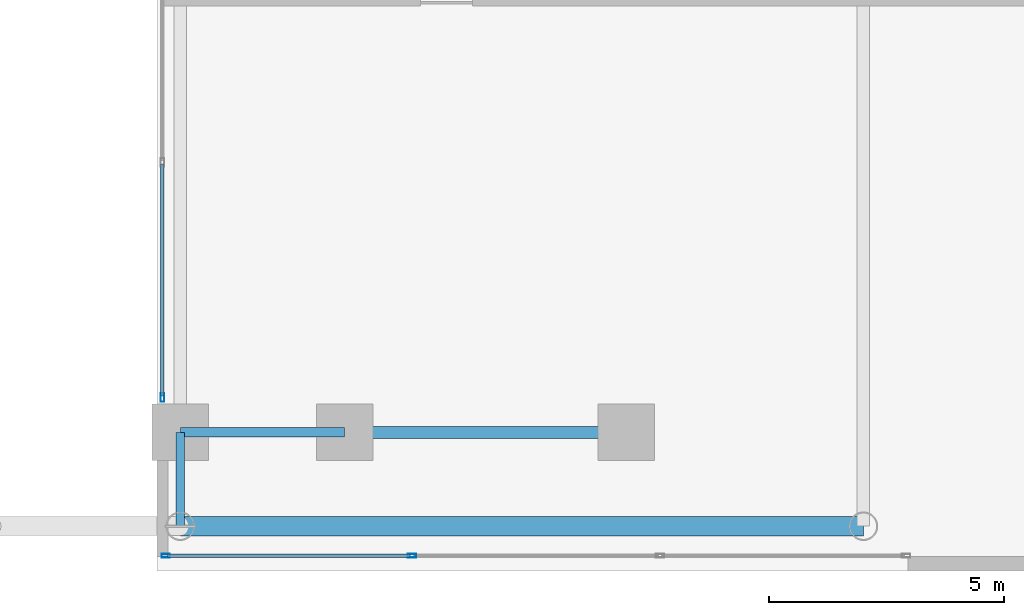
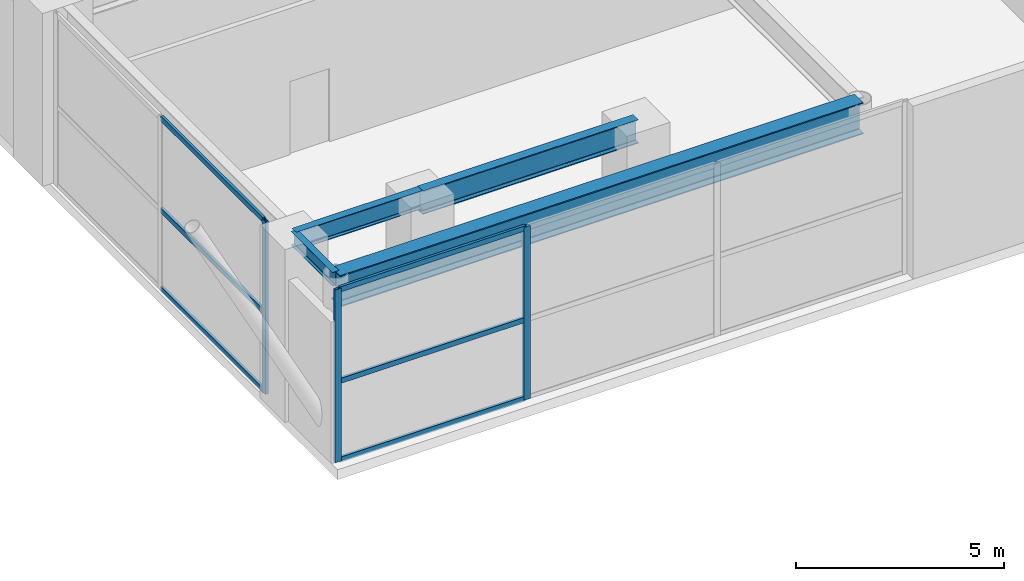
# One storey, part 8 of 29: 9 members, 4 beams, 2 elements without a shape of their own.
"""IFC4 building model written with IfcOpenShell, lengths in metres."""

from ifc_helpers import new_model, si_unit, direction, frame, origin, origin_2d, place, context, subcontext, project, spatial, hollow_rectangle, i_section, extrude, source, transform, mapped, material, layer, layer_set, material_profile, profile_set, type_object, element, aggregate, save


model = new_model("IFC4")

# Units and contexts
model_context = context("Model", 3, precision=1e-05, world=origin(), true_north=direction((0.0, 1.0)))
body_context = subcontext(model_context, "Body", "Model", "MODEL_VIEW")
ifc_project = project(units=[si_unit("LENGTHUNIT", "METRE"), si_unit("AREAUNIT", "SQUARE_METRE"), si_unit("VOLUMEUNIT", "CUBIC_METRE"), si_unit("PLANEANGLEUNIT", "RADIAN"), si_unit("MASSUNIT", "GRAM", prefix="KILO")], contexts=[model_context])

# Site, building, storey
site_placement = place(None, origin())
site = spatial("IfcSite", under=ifc_project, at=site_placement, CompositionType="ELEMENT")
building_placement = place(site_placement, origin())
building = spatial("IfcBuilding", under=site, at=building_placement, Name="Ocotamira Hotel", CompositionType="ELEMENT")
storey_placement = place(building_placement, frame((0.0, 0.0, 6.0)))
storey = spatial("IfcBuildingStorey", under=building, at=storey_placement, Name="L02", CompositionType="ELEMENT", Elevation=6.0)

# Beams
ifc_material_1 = material(Name="Steel ASTM A992 Grade 50", Category="steel")
ifc_material_profile_1 = material_profile(ifc_material_1, i_section(OverallWidth=0.41796875, OverallDepth=0.927001953125, WebThickness=0.019287109375, FlangeThickness=0.031982421875, FilletRadius=0.02392578125, at=origin_2d()), Name="W36X231")
ifc_profile_set_1 = profile_set([ifc_material_profile_1], Name="Steel ASTM A992 Grade 50")
beam_type_1 = type_object("IfcBeamType", Name="BM-GIRD-W36X231", PredefinedType="BEAM", material=ifc_profile_set_1)
shared_shape_1 = source(origin(), body_context, "Body", "SweptSolid", [
    extrude(i_section(OverallWidth=0.41796875, OverallDepth=0.927001953125, WebThickness=0.019287109375, FlangeThickness=0.031982421875, FilletRadius=0.02392578125, at=origin_2d()), origin(), (0.0, 0.0, 1.0), 14.550048828125),
])
beam_1_placement = place(storey_placement, frame((40.5, 0.949951171875, 4.616455078125), z_axis=(1.0, 0.0, 0.0), x_axis=(0.0, 1.0, 0.0)))
element("IfcBeam", 1, at=beam_1_placement, inside=storey, type_object=beam_type_1, Name="L02 Girder Y0.95 X40.5-55.05", PredefinedType="BEAM", context=body_context, shape_type="MappedRepresentation", body=[
    mapped(shared_shape_1, transform((0.0, 0.0, 0.0), scale=1.0)),
])
ifc_material_profile_2 = material_profile(ifc_material_1, i_section(OverallWidth=0.256103515625, OverallDepth=0.693115234375, WebThickness=0.014404296875, FlangeThickness=0.023681640625, FilletRadius=0.01611328125, at=origin_2d()), Name="W27X114")
ifc_profile_set_2 = profile_set([ifc_material_profile_2], Name="Steel ASTM A992 Grade 50")
beam_type_2 = type_object("IfcBeamType", Name="BM-PRIM-W27X114", PredefinedType="BEAM", material=ifc_profile_set_2)
shared_shape_2 = source(origin(), body_context, "Body", "SweptSolid", [
    extrude(i_section(OverallWidth=0.256103515625, OverallDepth=0.693115234375, WebThickness=0.014404296875, FlangeThickness=0.023681640625, FilletRadius=0.01611328125, at=origin_2d()), origin(), (0.0, 0.0, 1.0), 6.0),
])
beam_2_placement = place(storey_placement, frame((44.0, 2.949951171875, 4.7333984375), z_axis=(1.0, 0.0, 0.0), x_axis=(0.0, 1.0, 0.0)))
element("IfcBeam", 2, at=beam_2_placement, inside=storey, type_object=beam_type_2, Name="L02 Girder Y2.95 X44-50", PredefinedType="BEAM", context=body_context, shape_type="MappedRepresentation", body=[
    mapped(shared_shape_2, transform((0.0, 0.0, 0.0), scale=1.0)),
])
ifc_material_profile_3 = material_profile(ifc_material_1, i_section(OverallWidth=0.2099609375, OverallDepth=0.537109375, WebThickness=0.010986328125, FlangeThickness=0.017333984375, FilletRadius=0.012939453125, at=origin_2d()), Name="W21X68")
ifc_profile_set_3 = profile_set([ifc_material_profile_3], Name="Steel ASTM A992 Grade 50")
beam_type_3 = type_object("IfcBeamType", Name="BM-SEC-W21X68", PredefinedType="JOIST", material=ifc_profile_set_3)
shared_shape_3 = source(origin(), body_context, "Body", "SweptSolid", [
    extrude(i_section(OverallWidth=0.2099609375, OverallDepth=0.537109375, WebThickness=0.010986328125, FlangeThickness=0.017333984375, FilletRadius=0.012939453125, at=origin_2d()), origin(), (0.0, 0.0, 1.0), 3.5),
])
beam_3_placement = place(storey_placement, frame((40.5, 2.949951171875, 4.8115234375), z_axis=(1.0, 0.0, 0.0), x_axis=(0.0, 1.0, 0.0)))
element("IfcBeam", 3, at=beam_3_placement, inside=storey, type_object=beam_type_3, Name="L02 Girder Y2.95 X40.5-44", PredefinedType="JOIST", context=body_context, shape_type="MappedRepresentation", body=[
    mapped(shared_shape_3, transform((0.0, 0.0, 0.0), scale=1.0)),
])
ifc_material_profile_4 = material_profile(ifc_material_1, i_section(OverallWidth=0.177978515625, OverallDepth=0.403076171875, WebThickness=0.007568359375, FlangeThickness=0.010986328125, FilletRadius=0.010009765625, at=origin_2d()), Name="W16X36")
ifc_profile_set_4 = profile_set([ifc_material_profile_4], Name="Steel ASTM A992 Grade 50")
beam_type_4 = type_object("IfcBeamType", Name="BM-SEC-W16X36", PredefinedType="JOIST", material=ifc_profile_set_4)
shared_shape_4 = source(origin(), body_context, "Body", "SweptSolid", [
    extrude(i_section(OverallWidth=0.177978515625, OverallDepth=0.403076171875, WebThickness=0.007568359375, FlangeThickness=0.010986328125, FilletRadius=0.010009765625, at=origin_2d()), origin(), (0.0, 0.0, 1.0), 2.0),
])
beam_4_placement = place(storey_placement, frame((40.5, 0.949951171875, 4.87841796875), z_axis=(0.0, 1.0, 0.0), x_axis=(-1.0, 0.0, 0.0)))
element("IfcBeam", 4, at=beam_4_placement, inside=storey, type_object=beam_type_4, Name="L02 Beam X40.5 Y0.95-2.95", PredefinedType="JOIST", context=body_context, shape_type="MappedRepresentation", body=[
    mapped(shared_shape_4, transform((0.0, 0.0, 0.0), scale=1.0)),
])

# Curtain wall, members
ifc_material_2 = material(Name="Anodised pale-metal aluminium and solar glass", Category="aluminium")
ifc_layer = layer(ifc_material_2, 0.219970703125)
ifc_layer_set = layer_set([ifc_layer], Name="Anodised pale-metal aluminium and solar glass")
curtain_wall_type = type_object("IfcCurtainWallType", Name="CW-SYS1-POD", PredefinedType="NOTDEFINED", material=ifc_layer_set)
curtain_wall_1_placement = place(storey_placement, origin())
curtain_wall_1 = element("IfcCurtainWall", 5, at=curtain_wall_1_placement, inside=storey, type_object=curtain_wall_type, Name="L02 Curtain Wall CW-1 CW-L02-SE", PredefinedType="NOTDEFINED")
ifc_material_3 = material(Name="Anodised pale-metal aluminium 6063-T6", Category="aluminium")
ifc_material_profile_5 = material_profile(ifc_material_3, hollow_rectangle(XDim=0.080078125, YDim=0.179931640625, WallThickness=0.006103515625, at=origin_2d()), Name="HSS180X80X6")
ifc_profile_set_5 = profile_set([ifc_material_profile_5], Name="Anodised pale-metal aluminium 6063-T6")
member_type_1 = type_object("IfcMemberType", Name="CWM-180X75", PredefinedType="MULLION", material=ifc_profile_set_5)
shared_shape_5 = source(origin(), body_context, "Body", "SweptSolid", [
    extrude(hollow_rectangle(XDim=0.080078125, YDim=0.179931640625, WallThickness=0.006103515625, at=origin_2d()), origin(), (0.0, 0.0, 1.0), 5.080078125),
])
member_1_placement = place(storey_placement, frame((40.18994140625, 0.320068359375, 0.0), z_axis=(0.0, 0.0, 1.0), x_axis=(0.0, 1.0, 0.0)))
member_1 = element("IfcMember", 6, at=member_1_placement, type_object=member_type_1, Name="CW-1 mullion 1", PredefinedType="MULLION", context=body_context, shape_type="MappedRepresentation", body=[
    mapped(shared_shape_5, transform((0.0, 0.0, 0.0), scale=1.0)),
])
member_2_placement = place(storey_placement, frame((45.433349609375, 0.320068359375, 0.0), z_axis=(0.0, 0.0, 1.0), x_axis=(0.0, 1.0, 0.0)))
member_2 = element("IfcMember", 7, at=member_2_placement, type_object=member_type_1, Name="CW-1 mullion 2", PredefinedType="MULLION", context=body_context, shape_type="MappedRepresentation", body=[
    mapped(shared_shape_5, transform((0.0, 0.0, 0.0), scale=1.0)),
])

# Curtain wall, member
curtain_wall_2_placement = place(storey_placement, origin())
curtain_wall_2 = element("IfcCurtainWall", 8, at=curtain_wall_2_placement, inside=storey, type_object=curtain_wall_type, Name="L02 Curtain Wall CW-1 CW-L02-AE-S", PredefinedType="NOTDEFINED")
member_3_placement = place(storey_placement, frame((40.1201171875, 3.68994140625, 0.0), z_axis=(0.0, 0.0, 1.0), x_axis=(-1.0, 0.0, 0.0)))
member_3 = element("IfcMember", 9, at=member_3_placement, type_object=member_type_1, Name="CW-1 mullion 1", PredefinedType="MULLION", context=body_context, shape_type="MappedRepresentation", body=[
    mapped(shared_shape_5, transform((0.0, 0.0, 0.0), scale=1.0)),
])

# Member
ifc_material_profile_6 = material_profile(ifc_material_3, hollow_rectangle(XDim=0.074951171875, YDim=0.14990234375, WallThickness=0.006103515625, at=origin_2d()), Name="HSS150X75X6")
ifc_profile_set_6 = profile_set([ifc_material_profile_6], Name="Anodised pale-metal aluminium 6063-T6")
member_type_2 = type_object("IfcMemberType", Name="CWT-150X75", PredefinedType="USERDEFINED", material=ifc_profile_set_6)
shared_shape_6 = source(origin(), body_context, "Body", "SweptSolid", [
    extrude(hollow_rectangle(XDim=0.074951171875, YDim=0.14990234375, WallThickness=0.006103515625, at=origin_2d()), origin(), (0.0, 0.0, 1.0), 5.163330078125),
])
member_4_placement = place(storey_placement, frame((40.22998046875, 0.320068359375, 0.03759765625), z_axis=(1.0, 0.0, 0.0), x_axis=(0.0, 1.0, 0.0)))
member_4 = element("IfcMember", 10, at=member_4_placement, type_object=member_type_2, Name="CW-1 transom 1.1", ObjectType="TRANSOM", PredefinedType="USERDEFINED", context=body_context, shape_type="MappedRepresentation", body=[
    mapped(shared_shape_6, transform((0.0, 0.0, 0.0), scale=1.0)),
])

member_5_placement = place(storey_placement, frame((40.22998046875, 0.320068359375, 2.35009765625), z_axis=(1.0, 0.0, 0.0), x_axis=(0.0, 1.0, 0.0)))
member_5 = element("IfcMember", 11, at=member_5_placement, type_object=member_type_2, Name="CW-1 transom 1.2", ObjectType="TRANSOM", PredefinedType="USERDEFINED", context=body_context, shape_type="MappedRepresentation", body=[
    mapped(shared_shape_6, transform((0.0, 0.0, 0.0), scale=1.0)),
])

member_6_placement = place(storey_placement, frame((40.22998046875, 0.320068359375, 5.04248046875), z_axis=(1.0, 0.0, 0.0), x_axis=(0.0, 1.0, 0.0)))
member_6 = element("IfcMember", 12, at=member_6_placement, type_object=member_type_2, Name="CW-1 transom 1.3", ObjectType="TRANSOM", PredefinedType="USERDEFINED", context=body_context, shape_type="MappedRepresentation", body=[
    mapped(shared_shape_6, transform((0.0, 0.0, 0.0), scale=1.0)),
])

aggregate(curtain_wall_1, [member_1, member_2, member_4, member_5, member_6])

shared_shape_7 = source(origin(), body_context, "Body", "SweptSolid", [
    extrude(hollow_rectangle(XDim=0.074951171875, YDim=0.14990234375, WallThickness=0.006103515625, at=origin_2d()), origin(), (0.0, 0.0, 1.0), 4.929931640625),
])
member_7_placement = place(storey_placement, frame((40.1201171875, 3.72998046875, 0.03759765625), z_axis=(0.0, 1.0, 0.0), x_axis=(-1.0, 0.0, 0.0)))
member_7 = element("IfcMember", 13, at=member_7_placement, type_object=member_type_2, Name="CW-1 transom 1.1", ObjectType="TRANSOM", PredefinedType="USERDEFINED", context=body_context, shape_type="MappedRepresentation", body=[
    mapped(shared_shape_7, transform((0.0, 0.0, 0.0), scale=1.0)),
])

member_8_placement = place(storey_placement, frame((40.1201171875, 3.72998046875, 2.35009765625), z_axis=(0.0, 1.0, 0.0), x_axis=(-1.0, 0.0, 0.0)))
member_8 = element("IfcMember", 14, at=member_8_placement, type_object=member_type_2, Name="CW-1 transom 1.2", ObjectType="TRANSOM", PredefinedType="USERDEFINED", context=body_context, shape_type="MappedRepresentation", body=[
    mapped(shared_shape_7, transform((0.0, 0.0, 0.0), scale=1.0)),
])

member_9_placement = place(storey_placement, frame((40.1201171875, 3.72998046875, 5.04248046875), z_axis=(0.0, 1.0, 0.0), x_axis=(-1.0, 0.0, 0.0)))
member_9 = element("IfcMember", 15, at=member_9_placement, type_object=member_type_2, Name="CW-1 transom 1.3", ObjectType="TRANSOM", PredefinedType="USERDEFINED", context=body_context, shape_type="MappedRepresentation", body=[
    mapped(shared_shape_7, transform((0.0, 0.0, 0.0), scale=1.0)),
])

aggregate(curtain_wall_2, [member_3, member_7, member_8, member_9])

save(model, "model.ifc")
